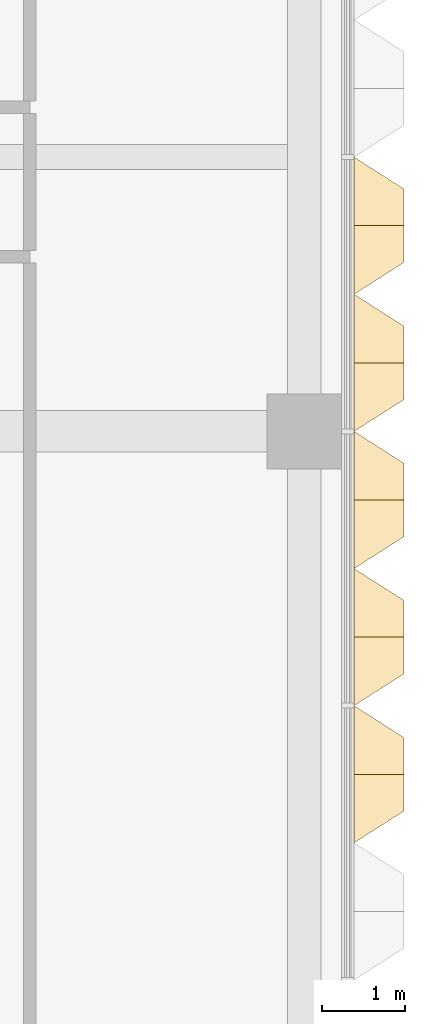
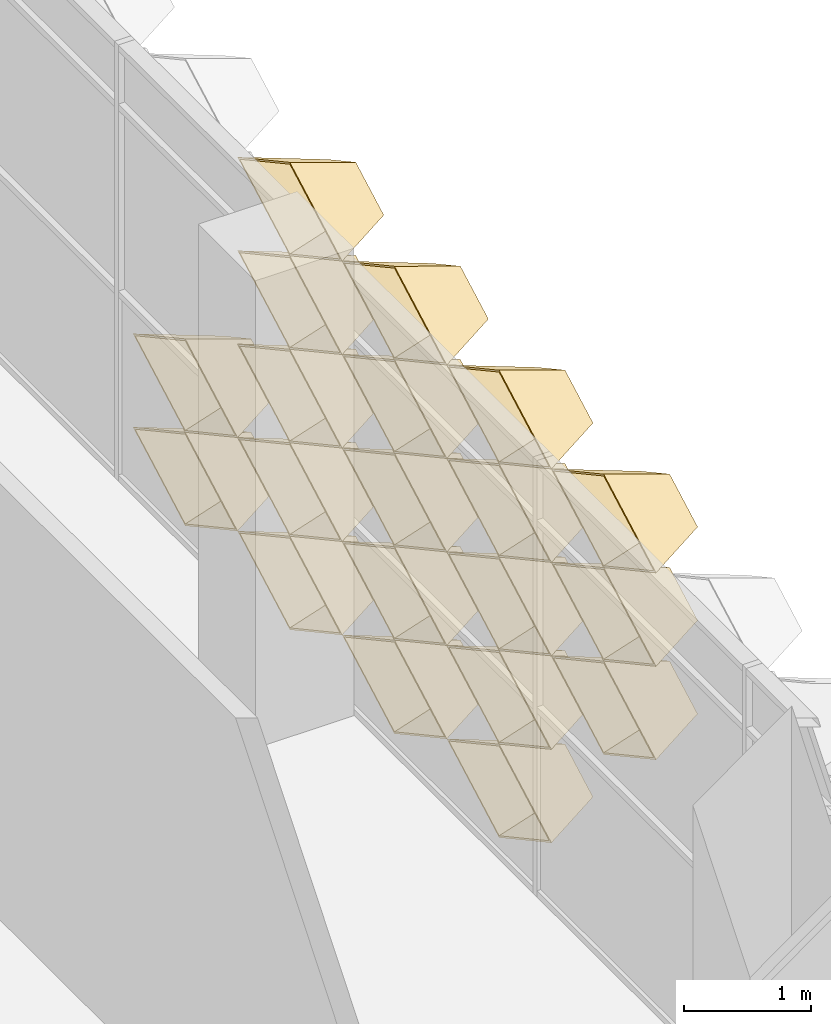
# One storey, part 80 of 109: 20 coverings.
"""IFC4 building model written with IfcOpenShell, lengths in metres."""

from ifc_helpers import new_model, entity, si_unit, direction, frame, origin, place, context, subcontext, project, spatial, material, layer, layer_set, type_object, element, save


model = new_model("IFC4")

# Units and contexts
model_context = context("Model", 3, precision=1e-05, world=origin(), true_north=direction((0.0, 1.0)))
body_context = subcontext(model_context, "Body", "Model", "MODEL_VIEW")
ifc_project = project(units=[si_unit("LENGTHUNIT", "METRE"), si_unit("AREAUNIT", "SQUARE_METRE"), si_unit("VOLUMEUNIT", "CUBIC_METRE"), si_unit("PLANEANGLEUNIT", "RADIAN"), si_unit("MASSUNIT", "GRAM", prefix="KILO")], contexts=[model_context])

# Site, building, storey
site_placement = place(None, origin())
site = spatial("IfcSite", under=ifc_project, at=site_placement, CompositionType="ELEMENT")
building_placement = place(site_placement, origin())
building = spatial("IfcBuilding", under=site, at=building_placement, Name="Lantern Court Research Institute", CompositionType="ELEMENT")
storey_placement = place(building_placement, frame((0.0, 0.0, 14.39990234375)))
storey = spatial("IfcBuildingStorey", under=building, at=storey_placement, Name="L03", CompositionType="ELEMENT", Elevation=14.39990234375)

# Coverings
ifc_material = material(Name="Anodised aluminium", Category="aluminium")
ifc_layer = layer(ifc_material, 0.01611328125)
ifc_layer_set = layer_set([ifc_layer], Name="Anodised aluminium")
covering_type = type_object("IfcCoveringType", Name="Fin cassette 1650 x 900 x 600 aluminium", PredefinedType="CLADDING", material=ifc_layer_set)
covering_1_placement = place(storey_placement, frame((79.800048828125, -2.47509765625, 0.4501953125), z_axis=(1.0, 0.0, 0.0), x_axis=(0.0, 1.0, 0.0)))
cartesian_point_1 = entity("IfcCartesianPoint", [0.824951171875, 0.0])
cartesian_point_2 = entity("IfcCartesianPoint", [0.79150390625, 0.0])
cartesian_point_3 = entity("IfcCartesianPoint", [0.44189453125, 0.0])
cartesian_point_4 = entity("IfcCartesianPoint", [0.43359375, 0.0])
element("IfcCovering", 1, at=covering_1_placement, inside=storey, type_object=covering_type, Name="Fin cassette V5E-L03 1.-1", PredefinedType="CLADDING", context=body_context, shape_type="SweptSolid", body=[
    entity("IfcExtrudedAreaSolidTapered", entity("IfcArbitraryProfileDefWithVoids", "AREA", None, entity("IfcPolyline", [cartesian_point_1, entity("IfcCartesianPoint", [0.0, 0.449951171875]), entity("IfcCartesianPoint", [-0.824951171875, 0.0]), entity("IfcCartesianPoint", [0.0, -0.449951171875]), cartesian_point_1]), [entity("IfcPolyline", [cartesian_point_2, entity("IfcCartesianPoint", [0.0, 0.431884765625]), entity("IfcCartesianPoint", [-0.79150390625, 0.0]), entity("IfcCartesianPoint", [0.0, -0.431884765625]), cartesian_point_2])]), entity("IfcAxis2Placement3D", entity("IfcCartesianPoint", [0.0, 0.0, 0.0])), entity("IfcDirection", [0.0, 0.0, 1.0]), 0.60009765625, entity("IfcArbitraryProfileDefWithVoids", "AREA", None, entity("IfcPolyline", [cartesian_point_3, entity("IfcCartesianPoint", [0.0, 0.240966796875]), entity("IfcCartesianPoint", [-0.44189453125, 0.0]), entity("IfcCartesianPoint", [0.0, -0.240966796875]), cartesian_point_3]), [entity("IfcPolyline", [cartesian_point_4, entity("IfcCartesianPoint", [0.0, 0.236572265625]), entity("IfcCartesianPoint", [-0.43359375, 0.0]), entity("IfcCartesianPoint", [0.0, -0.236572265625]), cartesian_point_4])])),
])
covering_2_placement = place(storey_placement, frame((79.800048828125, -0.824951171875, 0.4501953125), z_axis=(1.0, 0.0, 0.0), x_axis=(0.0, 1.0, 0.0)))
cartesian_point_5 = entity("IfcCartesianPoint", [0.824951171875, 0.0])
cartesian_point_6 = entity("IfcCartesianPoint", [0.79150390625, 0.0])
cartesian_point_7 = entity("IfcCartesianPoint", [0.44189453125, 0.0])
cartesian_point_8 = entity("IfcCartesianPoint", [0.43359375, 0.0])
element("IfcCovering", 2, at=covering_2_placement, inside=storey, type_object=covering_type, Name="Fin cassette V5E-L03 1.0", PredefinedType="CLADDING", context=body_context, shape_type="SweptSolid", body=[
    entity("IfcExtrudedAreaSolidTapered", entity("IfcArbitraryProfileDefWithVoids", "AREA", None, entity("IfcPolyline", [cartesian_point_5, entity("IfcCartesianPoint", [0.0, 0.449951171875]), entity("IfcCartesianPoint", [-0.824951171875, 0.0]), entity("IfcCartesianPoint", [0.0, -0.449951171875]), cartesian_point_5]), [entity("IfcPolyline", [cartesian_point_6, entity("IfcCartesianPoint", [0.0, 0.431884765625]), entity("IfcCartesianPoint", [-0.79150390625, 0.0]), entity("IfcCartesianPoint", [0.0, -0.431884765625]), cartesian_point_6])]), entity("IfcAxis2Placement3D", entity("IfcCartesianPoint", [0.0, 0.0, 0.0])), entity("IfcDirection", [0.0, 0.0, 1.0]), 0.60009765625, entity("IfcArbitraryProfileDefWithVoids", "AREA", None, entity("IfcPolyline", [cartesian_point_7, entity("IfcCartesianPoint", [0.0, 0.240966796875]), entity("IfcCartesianPoint", [-0.44189453125, 0.0]), entity("IfcCartesianPoint", [0.0, -0.240966796875]), cartesian_point_7]), [entity("IfcPolyline", [cartesian_point_8, entity("IfcCartesianPoint", [0.0, 0.236572265625]), entity("IfcCartesianPoint", [-0.43359375, 0.0]), entity("IfcCartesianPoint", [0.0, -0.236572265625]), cartesian_point_8])])),
])
covering_3_placement = place(storey_placement, frame((79.800048828125, 0.824951171875, 0.4501953125), z_axis=(1.0, 0.0, 0.0), x_axis=(0.0, 1.0, 0.0)))
cartesian_point_9 = entity("IfcCartesianPoint", [0.824951171875, 0.0])
cartesian_point_10 = entity("IfcCartesianPoint", [0.79150390625, 0.0])
cartesian_point_11 = entity("IfcCartesianPoint", [0.44189453125, 0.0])
cartesian_point_12 = entity("IfcCartesianPoint", [0.43359375, 0.0])
element("IfcCovering", 3, at=covering_3_placement, inside=storey, type_object=covering_type, Name="Fin cassette V5E-L03 1.1", PredefinedType="CLADDING", context=body_context, shape_type="SweptSolid", body=[
    entity("IfcExtrudedAreaSolidTapered", entity("IfcArbitraryProfileDefWithVoids", "AREA", None, entity("IfcPolyline", [cartesian_point_9, entity("IfcCartesianPoint", [0.0, 0.449951171875]), entity("IfcCartesianPoint", [-0.824951171875, 0.0]), entity("IfcCartesianPoint", [0.0, -0.449951171875]), cartesian_point_9]), [entity("IfcPolyline", [cartesian_point_10, entity("IfcCartesianPoint", [0.0, 0.431884765625]), entity("IfcCartesianPoint", [-0.79150390625, 0.0]), entity("IfcCartesianPoint", [0.0, -0.431884765625]), cartesian_point_10])]), entity("IfcAxis2Placement3D", entity("IfcCartesianPoint", [0.0, 0.0, 0.0])), entity("IfcDirection", [0.0, 0.0, 1.0]), 0.60009765625, entity("IfcArbitraryProfileDefWithVoids", "AREA", None, entity("IfcPolyline", [cartesian_point_11, entity("IfcCartesianPoint", [0.0, 0.240966796875]), entity("IfcCartesianPoint", [-0.44189453125, 0.0]), entity("IfcCartesianPoint", [0.0, -0.240966796875]), cartesian_point_11]), [entity("IfcPolyline", [cartesian_point_12, entity("IfcCartesianPoint", [0.0, 0.236572265625]), entity("IfcCartesianPoint", [-0.43359375, 0.0]), entity("IfcCartesianPoint", [0.0, -0.236572265625]), cartesian_point_12])])),
])
covering_4_placement = place(storey_placement, frame((79.800048828125, 2.47509765625, 0.4501953125), z_axis=(1.0, 0.0, 0.0), x_axis=(0.0, 1.0, 0.0)))
cartesian_point_13 = entity("IfcCartesianPoint", [0.824951171875, 0.0])
cartesian_point_14 = entity("IfcCartesianPoint", [0.79150390625, 0.0])
cartesian_point_15 = entity("IfcCartesianPoint", [0.44189453125, 0.0])
cartesian_point_16 = entity("IfcCartesianPoint", [0.43359375, 0.0])
element("IfcCovering", 4, at=covering_4_placement, inside=storey, type_object=covering_type, Name="Fin cassette V5E-L03 1.2", PredefinedType="CLADDING", context=body_context, shape_type="SweptSolid", body=[
    entity("IfcExtrudedAreaSolidTapered", entity("IfcArbitraryProfileDefWithVoids", "AREA", None, entity("IfcPolyline", [cartesian_point_13, entity("IfcCartesianPoint", [0.0, 0.449951171875]), entity("IfcCartesianPoint", [-0.824951171875, 0.0]), entity("IfcCartesianPoint", [0.0, -0.449951171875]), cartesian_point_13]), [entity("IfcPolyline", [cartesian_point_14, entity("IfcCartesianPoint", [0.0, 0.431884765625]), entity("IfcCartesianPoint", [-0.79150390625, 0.0]), entity("IfcCartesianPoint", [0.0, -0.431884765625]), cartesian_point_14])]), entity("IfcAxis2Placement3D", entity("IfcCartesianPoint", [0.0, 0.0, 0.0])), entity("IfcDirection", [0.0, 0.0, 1.0]), 0.60009765625, entity("IfcArbitraryProfileDefWithVoids", "AREA", None, entity("IfcPolyline", [cartesian_point_15, entity("IfcCartesianPoint", [0.0, 0.240966796875]), entity("IfcCartesianPoint", [-0.44189453125, 0.0]), entity("IfcCartesianPoint", [0.0, -0.240966796875]), cartesian_point_15]), [entity("IfcPolyline", [cartesian_point_16, entity("IfcCartesianPoint", [0.0, 0.236572265625]), entity("IfcCartesianPoint", [-0.43359375, 0.0]), entity("IfcCartesianPoint", [0.0, -0.236572265625]), cartesian_point_16])])),
])
covering_5_placement = place(storey_placement, frame((79.800048828125, -2.47509765625, 1.35009765625), z_axis=(1.0, 0.0, 0.0), x_axis=(0.0, 1.0, 0.0)))
cartesian_point_17 = entity("IfcCartesianPoint", [0.824951171875, 0.0])
cartesian_point_18 = entity("IfcCartesianPoint", [0.79150390625, 0.0])
cartesian_point_19 = entity("IfcCartesianPoint", [0.44189453125, 0.0])
cartesian_point_20 = entity("IfcCartesianPoint", [0.43359375, 0.0])
element("IfcCovering", 5, at=covering_5_placement, inside=storey, type_object=covering_type, Name="Fin cassette V5E-L03 2.-1", PredefinedType="CLADDING", context=body_context, shape_type="SweptSolid", body=[
    entity("IfcExtrudedAreaSolidTapered", entity("IfcArbitraryProfileDefWithVoids", "AREA", None, entity("IfcPolyline", [cartesian_point_17, entity("IfcCartesianPoint", [0.0, 0.449951171875]), entity("IfcCartesianPoint", [-0.824951171875, 0.0]), entity("IfcCartesianPoint", [0.0, -0.449951171875]), cartesian_point_17]), [entity("IfcPolyline", [cartesian_point_18, entity("IfcCartesianPoint", [0.0, 0.431884765625]), entity("IfcCartesianPoint", [-0.79150390625, 0.0]), entity("IfcCartesianPoint", [0.0, -0.431884765625]), cartesian_point_18])]), entity("IfcAxis2Placement3D", entity("IfcCartesianPoint", [0.0, 0.0, 0.0])), entity("IfcDirection", [0.0, 0.0, 1.0]), 0.60009765625, entity("IfcArbitraryProfileDefWithVoids", "AREA", None, entity("IfcPolyline", [cartesian_point_19, entity("IfcCartesianPoint", [0.0, 0.240966796875]), entity("IfcCartesianPoint", [-0.44189453125, 0.0]), entity("IfcCartesianPoint", [0.0, -0.240966796875]), cartesian_point_19]), [entity("IfcPolyline", [cartesian_point_20, entity("IfcCartesianPoint", [0.0, 0.236572265625]), entity("IfcCartesianPoint", [-0.43359375, 0.0]), entity("IfcCartesianPoint", [0.0, -0.236572265625]), cartesian_point_20])])),
])
covering_6_placement = place(storey_placement, frame((79.800048828125, -0.824951171875, 1.35009765625), z_axis=(1.0, 0.0, 0.0), x_axis=(0.0, 1.0, 0.0)))
cartesian_point_21 = entity("IfcCartesianPoint", [0.824951171875, 0.0])
cartesian_point_22 = entity("IfcCartesianPoint", [0.79150390625, 0.0])
cartesian_point_23 = entity("IfcCartesianPoint", [0.44189453125, 0.0])
cartesian_point_24 = entity("IfcCartesianPoint", [0.43359375, 0.0])
element("IfcCovering", 6, at=covering_6_placement, inside=storey, type_object=covering_type, Name="Fin cassette V5E-L03 2.0", PredefinedType="CLADDING", context=body_context, shape_type="SweptSolid", body=[
    entity("IfcExtrudedAreaSolidTapered", entity("IfcArbitraryProfileDefWithVoids", "AREA", None, entity("IfcPolyline", [cartesian_point_21, entity("IfcCartesianPoint", [0.0, 0.449951171875]), entity("IfcCartesianPoint", [-0.824951171875, 0.0]), entity("IfcCartesianPoint", [0.0, -0.449951171875]), cartesian_point_21]), [entity("IfcPolyline", [cartesian_point_22, entity("IfcCartesianPoint", [0.0, 0.431884765625]), entity("IfcCartesianPoint", [-0.79150390625, 0.0]), entity("IfcCartesianPoint", [0.0, -0.431884765625]), cartesian_point_22])]), entity("IfcAxis2Placement3D", entity("IfcCartesianPoint", [0.0, 0.0, 0.0])), entity("IfcDirection", [0.0, 0.0, 1.0]), 0.60009765625, entity("IfcArbitraryProfileDefWithVoids", "AREA", None, entity("IfcPolyline", [cartesian_point_23, entity("IfcCartesianPoint", [0.0, 0.240966796875]), entity("IfcCartesianPoint", [-0.44189453125, 0.0]), entity("IfcCartesianPoint", [0.0, -0.240966796875]), cartesian_point_23]), [entity("IfcPolyline", [cartesian_point_24, entity("IfcCartesianPoint", [0.0, 0.236572265625]), entity("IfcCartesianPoint", [-0.43359375, 0.0]), entity("IfcCartesianPoint", [0.0, -0.236572265625]), cartesian_point_24])])),
])
covering_7_placement = place(storey_placement, frame((79.800048828125, 0.824951171875, 1.35009765625), z_axis=(1.0, 0.0, 0.0), x_axis=(0.0, 1.0, 0.0)))
cartesian_point_25 = entity("IfcCartesianPoint", [0.824951171875, 0.0])
cartesian_point_26 = entity("IfcCartesianPoint", [0.79150390625, 0.0])
cartesian_point_27 = entity("IfcCartesianPoint", [0.44189453125, 0.0])
cartesian_point_28 = entity("IfcCartesianPoint", [0.43359375, 0.0])
element("IfcCovering", 7, at=covering_7_placement, inside=storey, type_object=covering_type, Name="Fin cassette V5E-L03 2.1", PredefinedType="CLADDING", context=body_context, shape_type="SweptSolid", body=[
    entity("IfcExtrudedAreaSolidTapered", entity("IfcArbitraryProfileDefWithVoids", "AREA", None, entity("IfcPolyline", [cartesian_point_25, entity("IfcCartesianPoint", [0.0, 0.449951171875]), entity("IfcCartesianPoint", [-0.824951171875, 0.0]), entity("IfcCartesianPoint", [0.0, -0.449951171875]), cartesian_point_25]), [entity("IfcPolyline", [cartesian_point_26, entity("IfcCartesianPoint", [0.0, 0.431884765625]), entity("IfcCartesianPoint", [-0.79150390625, 0.0]), entity("IfcCartesianPoint", [0.0, -0.431884765625]), cartesian_point_26])]), entity("IfcAxis2Placement3D", entity("IfcCartesianPoint", [0.0, 0.0, 0.0])), entity("IfcDirection", [0.0, 0.0, 1.0]), 0.60009765625, entity("IfcArbitraryProfileDefWithVoids", "AREA", None, entity("IfcPolyline", [cartesian_point_27, entity("IfcCartesianPoint", [0.0, 0.240966796875]), entity("IfcCartesianPoint", [-0.44189453125, 0.0]), entity("IfcCartesianPoint", [0.0, -0.240966796875]), cartesian_point_27]), [entity("IfcPolyline", [cartesian_point_28, entity("IfcCartesianPoint", [0.0, 0.236572265625]), entity("IfcCartesianPoint", [-0.43359375, 0.0]), entity("IfcCartesianPoint", [0.0, -0.236572265625]), cartesian_point_28])])),
])
covering_8_placement = place(storey_placement, frame((79.800048828125, 2.47509765625, 1.35009765625), z_axis=(1.0, 0.0, 0.0), x_axis=(0.0, 1.0, 0.0)))
cartesian_point_29 = entity("IfcCartesianPoint", [0.824951171875, 0.0])
cartesian_point_30 = entity("IfcCartesianPoint", [0.79150390625, 0.0])
cartesian_point_31 = entity("IfcCartesianPoint", [0.44189453125, 0.0])
cartesian_point_32 = entity("IfcCartesianPoint", [0.43359375, 0.0])
element("IfcCovering", 8, at=covering_8_placement, inside=storey, type_object=covering_type, Name="Fin cassette V5E-L03 2.2", PredefinedType="CLADDING", context=body_context, shape_type="SweptSolid", body=[
    entity("IfcExtrudedAreaSolidTapered", entity("IfcArbitraryProfileDefWithVoids", "AREA", None, entity("IfcPolyline", [cartesian_point_29, entity("IfcCartesianPoint", [0.0, 0.449951171875]), entity("IfcCartesianPoint", [-0.824951171875, 0.0]), entity("IfcCartesianPoint", [0.0, -0.449951171875]), cartesian_point_29]), [entity("IfcPolyline", [cartesian_point_30, entity("IfcCartesianPoint", [0.0, 0.431884765625]), entity("IfcCartesianPoint", [-0.79150390625, 0.0]), entity("IfcCartesianPoint", [0.0, -0.431884765625]), cartesian_point_30])]), entity("IfcAxis2Placement3D", entity("IfcCartesianPoint", [0.0, 0.0, 0.0])), entity("IfcDirection", [0.0, 0.0, 1.0]), 0.60009765625, entity("IfcArbitraryProfileDefWithVoids", "AREA", None, entity("IfcPolyline", [cartesian_point_31, entity("IfcCartesianPoint", [0.0, 0.240966796875]), entity("IfcCartesianPoint", [-0.44189453125, 0.0]), entity("IfcCartesianPoint", [0.0, -0.240966796875]), cartesian_point_31]), [entity("IfcPolyline", [cartesian_point_32, entity("IfcCartesianPoint", [0.0, 0.236572265625]), entity("IfcCartesianPoint", [-0.43359375, 0.0]), entity("IfcCartesianPoint", [0.0, -0.236572265625]), cartesian_point_32])])),
])
covering_9_placement = place(storey_placement, frame((79.800048828125, -4.125, 2.25), z_axis=(1.0, 0.0, 0.0), x_axis=(0.0, 1.0, 0.0)))
cartesian_point_33 = entity("IfcCartesianPoint", [0.824951171875, 0.0])
cartesian_point_34 = entity("IfcCartesianPoint", [0.79150390625, 0.0])
cartesian_point_35 = entity("IfcCartesianPoint", [0.44189453125, 0.0])
cartesian_point_36 = entity("IfcCartesianPoint", [0.43359375, 0.0])
element("IfcCovering", 9, at=covering_9_placement, inside=storey, type_object=covering_type, Name="Fin cassette V5E-L03 3.-2", PredefinedType="CLADDING", context=body_context, shape_type="SweptSolid", body=[
    entity("IfcExtrudedAreaSolidTapered", entity("IfcArbitraryProfileDefWithVoids", "AREA", None, entity("IfcPolyline", [cartesian_point_33, entity("IfcCartesianPoint", [0.0, 0.449951171875]), entity("IfcCartesianPoint", [-0.824951171875, 0.0]), entity("IfcCartesianPoint", [0.0, -0.449951171875]), cartesian_point_33]), [entity("IfcPolyline", [cartesian_point_34, entity("IfcCartesianPoint", [0.0, 0.431884765625]), entity("IfcCartesianPoint", [-0.79150390625, 0.0]), entity("IfcCartesianPoint", [0.0, -0.431884765625]), cartesian_point_34])]), entity("IfcAxis2Placement3D", entity("IfcCartesianPoint", [0.0, 0.0, 0.0])), entity("IfcDirection", [0.0, 0.0, 1.0]), 0.60009765625, entity("IfcArbitraryProfileDefWithVoids", "AREA", None, entity("IfcPolyline", [cartesian_point_35, entity("IfcCartesianPoint", [0.0, 0.240966796875]), entity("IfcCartesianPoint", [-0.44189453125, 0.0]), entity("IfcCartesianPoint", [0.0, -0.240966796875]), cartesian_point_35]), [entity("IfcPolyline", [cartesian_point_36, entity("IfcCartesianPoint", [0.0, 0.236572265625]), entity("IfcCartesianPoint", [-0.43359375, 0.0]), entity("IfcCartesianPoint", [0.0, -0.236572265625]), cartesian_point_36])])),
])
covering_10_placement = place(storey_placement, frame((79.800048828125, -2.47509765625, 2.25), z_axis=(1.0, 0.0, 0.0), x_axis=(0.0, 1.0, 0.0)))
cartesian_point_37 = entity("IfcCartesianPoint", [0.824951171875, 0.0])
cartesian_point_38 = entity("IfcCartesianPoint", [0.79150390625, 0.0])
cartesian_point_39 = entity("IfcCartesianPoint", [0.44189453125, 0.0])
cartesian_point_40 = entity("IfcCartesianPoint", [0.43359375, 0.0])
element("IfcCovering", 10, at=covering_10_placement, inside=storey, type_object=covering_type, Name="Fin cassette V5E-L03 3.-1", PredefinedType="CLADDING", context=body_context, shape_type="SweptSolid", body=[
    entity("IfcExtrudedAreaSolidTapered", entity("IfcArbitraryProfileDefWithVoids", "AREA", None, entity("IfcPolyline", [cartesian_point_37, entity("IfcCartesianPoint", [0.0, 0.449951171875]), entity("IfcCartesianPoint", [-0.824951171875, 0.0]), entity("IfcCartesianPoint", [0.0, -0.449951171875]), cartesian_point_37]), [entity("IfcPolyline", [cartesian_point_38, entity("IfcCartesianPoint", [0.0, 0.431884765625]), entity("IfcCartesianPoint", [-0.79150390625, 0.0]), entity("IfcCartesianPoint", [0.0, -0.431884765625]), cartesian_point_38])]), entity("IfcAxis2Placement3D", entity("IfcCartesianPoint", [0.0, 0.0, 0.0])), entity("IfcDirection", [0.0, 0.0, 1.0]), 0.60009765625, entity("IfcArbitraryProfileDefWithVoids", "AREA", None, entity("IfcPolyline", [cartesian_point_39, entity("IfcCartesianPoint", [0.0, 0.240966796875]), entity("IfcCartesianPoint", [-0.44189453125, 0.0]), entity("IfcCartesianPoint", [0.0, -0.240966796875]), cartesian_point_39]), [entity("IfcPolyline", [cartesian_point_40, entity("IfcCartesianPoint", [0.0, 0.236572265625]), entity("IfcCartesianPoint", [-0.43359375, 0.0]), entity("IfcCartesianPoint", [0.0, -0.236572265625]), cartesian_point_40])])),
])
covering_11_placement = place(storey_placement, frame((79.800048828125, -0.824951171875, 2.25), z_axis=(1.0, 0.0, 0.0), x_axis=(0.0, 1.0, 0.0)))
cartesian_point_41 = entity("IfcCartesianPoint", [0.824951171875, 0.0])
cartesian_point_42 = entity("IfcCartesianPoint", [0.79150390625, 0.0])
cartesian_point_43 = entity("IfcCartesianPoint", [0.44189453125, 0.0])
cartesian_point_44 = entity("IfcCartesianPoint", [0.43359375, 0.0])
element("IfcCovering", 11, at=covering_11_placement, inside=storey, type_object=covering_type, Name="Fin cassette V5E-L03 3.0", PredefinedType="CLADDING", context=body_context, shape_type="SweptSolid", body=[
    entity("IfcExtrudedAreaSolidTapered", entity("IfcArbitraryProfileDefWithVoids", "AREA", None, entity("IfcPolyline", [cartesian_point_41, entity("IfcCartesianPoint", [0.0, 0.449951171875]), entity("IfcCartesianPoint", [-0.824951171875, 0.0]), entity("IfcCartesianPoint", [0.0, -0.449951171875]), cartesian_point_41]), [entity("IfcPolyline", [cartesian_point_42, entity("IfcCartesianPoint", [0.0, 0.431884765625]), entity("IfcCartesianPoint", [-0.79150390625, 0.0]), entity("IfcCartesianPoint", [0.0, -0.431884765625]), cartesian_point_42])]), entity("IfcAxis2Placement3D", entity("IfcCartesianPoint", [0.0, 0.0, 0.0])), entity("IfcDirection", [0.0, 0.0, 1.0]), 0.60009765625, entity("IfcArbitraryProfileDefWithVoids", "AREA", None, entity("IfcPolyline", [cartesian_point_43, entity("IfcCartesianPoint", [0.0, 0.240966796875]), entity("IfcCartesianPoint", [-0.44189453125, 0.0]), entity("IfcCartesianPoint", [0.0, -0.240966796875]), cartesian_point_43]), [entity("IfcPolyline", [cartesian_point_44, entity("IfcCartesianPoint", [0.0, 0.236572265625]), entity("IfcCartesianPoint", [-0.43359375, 0.0]), entity("IfcCartesianPoint", [0.0, -0.236572265625]), cartesian_point_44])])),
])
covering_12_placement = place(storey_placement, frame((79.800048828125, 0.824951171875, 2.25), z_axis=(1.0, 0.0, 0.0), x_axis=(0.0, 1.0, 0.0)))
cartesian_point_45 = entity("IfcCartesianPoint", [0.824951171875, 0.0])
cartesian_point_46 = entity("IfcCartesianPoint", [0.79150390625, 0.0])
cartesian_point_47 = entity("IfcCartesianPoint", [0.44189453125, 0.0])
cartesian_point_48 = entity("IfcCartesianPoint", [0.43359375, 0.0])
element("IfcCovering", 12, at=covering_12_placement, inside=storey, type_object=covering_type, Name="Fin cassette V5E-L03 3.1", PredefinedType="CLADDING", context=body_context, shape_type="SweptSolid", body=[
    entity("IfcExtrudedAreaSolidTapered", entity("IfcArbitraryProfileDefWithVoids", "AREA", None, entity("IfcPolyline", [cartesian_point_45, entity("IfcCartesianPoint", [0.0, 0.449951171875]), entity("IfcCartesianPoint", [-0.824951171875, 0.0]), entity("IfcCartesianPoint", [0.0, -0.449951171875]), cartesian_point_45]), [entity("IfcPolyline", [cartesian_point_46, entity("IfcCartesianPoint", [0.0, 0.431884765625]), entity("IfcCartesianPoint", [-0.79150390625, 0.0]), entity("IfcCartesianPoint", [0.0, -0.431884765625]), cartesian_point_46])]), entity("IfcAxis2Placement3D", entity("IfcCartesianPoint", [0.0, 0.0, 0.0])), entity("IfcDirection", [0.0, 0.0, 1.0]), 0.60009765625, entity("IfcArbitraryProfileDefWithVoids", "AREA", None, entity("IfcPolyline", [cartesian_point_47, entity("IfcCartesianPoint", [0.0, 0.240966796875]), entity("IfcCartesianPoint", [-0.44189453125, 0.0]), entity("IfcCartesianPoint", [0.0, -0.240966796875]), cartesian_point_47]), [entity("IfcPolyline", [cartesian_point_48, entity("IfcCartesianPoint", [0.0, 0.236572265625]), entity("IfcCartesianPoint", [-0.43359375, 0.0]), entity("IfcCartesianPoint", [0.0, -0.236572265625]), cartesian_point_48])])),
])
covering_13_placement = place(storey_placement, frame((79.800048828125, -4.125, 3.150146484375), z_axis=(1.0, 0.0, 0.0), x_axis=(0.0, 1.0, 0.0)))
cartesian_point_49 = entity("IfcCartesianPoint", [0.824951171875, 0.0])
cartesian_point_50 = entity("IfcCartesianPoint", [0.79150390625, 0.0])
cartesian_point_51 = entity("IfcCartesianPoint", [0.44189453125, 0.0])
cartesian_point_52 = entity("IfcCartesianPoint", [0.43359375, 0.0])
element("IfcCovering", 13, at=covering_13_placement, inside=storey, type_object=covering_type, Name="Fin cassette V5E-L03 4.-2", PredefinedType="CLADDING", context=body_context, shape_type="SweptSolid", body=[
    entity("IfcExtrudedAreaSolidTapered", entity("IfcArbitraryProfileDefWithVoids", "AREA", None, entity("IfcPolyline", [cartesian_point_49, entity("IfcCartesianPoint", [0.0, 0.449951171875]), entity("IfcCartesianPoint", [-0.824951171875, 0.0]), entity("IfcCartesianPoint", [0.0, -0.449951171875]), cartesian_point_49]), [entity("IfcPolyline", [cartesian_point_50, entity("IfcCartesianPoint", [0.0, 0.431884765625]), entity("IfcCartesianPoint", [-0.79150390625, 0.0]), entity("IfcCartesianPoint", [0.0, -0.431884765625]), cartesian_point_50])]), entity("IfcAxis2Placement3D", entity("IfcCartesianPoint", [0.0, 0.0, 0.0])), entity("IfcDirection", [0.0, 0.0, 1.0]), 0.60009765625, entity("IfcArbitraryProfileDefWithVoids", "AREA", None, entity("IfcPolyline", [cartesian_point_51, entity("IfcCartesianPoint", [0.0, 0.240966796875]), entity("IfcCartesianPoint", [-0.44189453125, 0.0]), entity("IfcCartesianPoint", [0.0, -0.240966796875]), cartesian_point_51]), [entity("IfcPolyline", [cartesian_point_52, entity("IfcCartesianPoint", [0.0, 0.236572265625]), entity("IfcCartesianPoint", [-0.43359375, 0.0]), entity("IfcCartesianPoint", [0.0, -0.236572265625]), cartesian_point_52])])),
])
covering_14_placement = place(storey_placement, frame((79.800048828125, -2.47509765625, 3.150146484375), z_axis=(1.0, 0.0, 0.0), x_axis=(0.0, 1.0, 0.0)))
cartesian_point_53 = entity("IfcCartesianPoint", [0.824951171875, 0.0])
cartesian_point_54 = entity("IfcCartesianPoint", [0.79150390625, 0.0])
cartesian_point_55 = entity("IfcCartesianPoint", [0.44189453125, 0.0])
cartesian_point_56 = entity("IfcCartesianPoint", [0.43359375, 0.0])
element("IfcCovering", 14, at=covering_14_placement, inside=storey, type_object=covering_type, Name="Fin cassette V5E-L03 4.-1", PredefinedType="CLADDING", context=body_context, shape_type="SweptSolid", body=[
    entity("IfcExtrudedAreaSolidTapered", entity("IfcArbitraryProfileDefWithVoids", "AREA", None, entity("IfcPolyline", [cartesian_point_53, entity("IfcCartesianPoint", [0.0, 0.449951171875]), entity("IfcCartesianPoint", [-0.824951171875, 0.0]), entity("IfcCartesianPoint", [0.0, -0.449951171875]), cartesian_point_53]), [entity("IfcPolyline", [cartesian_point_54, entity("IfcCartesianPoint", [0.0, 0.431884765625]), entity("IfcCartesianPoint", [-0.79150390625, 0.0]), entity("IfcCartesianPoint", [0.0, -0.431884765625]), cartesian_point_54])]), entity("IfcAxis2Placement3D", entity("IfcCartesianPoint", [0.0, 0.0, 0.0])), entity("IfcDirection", [0.0, 0.0, 1.0]), 0.60009765625, entity("IfcArbitraryProfileDefWithVoids", "AREA", None, entity("IfcPolyline", [cartesian_point_55, entity("IfcCartesianPoint", [0.0, 0.240966796875]), entity("IfcCartesianPoint", [-0.44189453125, 0.0]), entity("IfcCartesianPoint", [0.0, -0.240966796875]), cartesian_point_55]), [entity("IfcPolyline", [cartesian_point_56, entity("IfcCartesianPoint", [0.0, 0.236572265625]), entity("IfcCartesianPoint", [-0.43359375, 0.0]), entity("IfcCartesianPoint", [0.0, -0.236572265625]), cartesian_point_56])])),
])
covering_15_placement = place(storey_placement, frame((79.800048828125, -0.824951171875, 3.150146484375), z_axis=(1.0, 0.0, 0.0), x_axis=(0.0, 1.0, 0.0)))
cartesian_point_57 = entity("IfcCartesianPoint", [0.824951171875, 0.0])
cartesian_point_58 = entity("IfcCartesianPoint", [0.79150390625, 0.0])
cartesian_point_59 = entity("IfcCartesianPoint", [0.44189453125, 0.0])
cartesian_point_60 = entity("IfcCartesianPoint", [0.43359375, 0.0])
element("IfcCovering", 15, at=covering_15_placement, inside=storey, type_object=covering_type, Name="Fin cassette V5E-L03 4.0", PredefinedType="CLADDING", context=body_context, shape_type="SweptSolid", body=[
    entity("IfcExtrudedAreaSolidTapered", entity("IfcArbitraryProfileDefWithVoids", "AREA", None, entity("IfcPolyline", [cartesian_point_57, entity("IfcCartesianPoint", [0.0, 0.449951171875]), entity("IfcCartesianPoint", [-0.824951171875, 0.0]), entity("IfcCartesianPoint", [0.0, -0.449951171875]), cartesian_point_57]), [entity("IfcPolyline", [cartesian_point_58, entity("IfcCartesianPoint", [0.0, 0.431884765625]), entity("IfcCartesianPoint", [-0.79150390625, 0.0]), entity("IfcCartesianPoint", [0.0, -0.431884765625]), cartesian_point_58])]), entity("IfcAxis2Placement3D", entity("IfcCartesianPoint", [0.0, 0.0, 0.0])), entity("IfcDirection", [0.0, 0.0, 1.0]), 0.60009765625, entity("IfcArbitraryProfileDefWithVoids", "AREA", None, entity("IfcPolyline", [cartesian_point_59, entity("IfcCartesianPoint", [0.0, 0.240966796875]), entity("IfcCartesianPoint", [-0.44189453125, 0.0]), entity("IfcCartesianPoint", [0.0, -0.240966796875]), cartesian_point_59]), [entity("IfcPolyline", [cartesian_point_60, entity("IfcCartesianPoint", [0.0, 0.236572265625]), entity("IfcCartesianPoint", [-0.43359375, 0.0]), entity("IfcCartesianPoint", [0.0, -0.236572265625]), cartesian_point_60])])),
])
covering_16_placement = place(storey_placement, frame((79.800048828125, 0.824951171875, 3.150146484375), z_axis=(1.0, 0.0, 0.0), x_axis=(0.0, 1.0, 0.0)))
cartesian_point_61 = entity("IfcCartesianPoint", [0.824951171875, 0.0])
cartesian_point_62 = entity("IfcCartesianPoint", [0.79150390625, 0.0])
cartesian_point_63 = entity("IfcCartesianPoint", [0.44189453125, 0.0])
cartesian_point_64 = entity("IfcCartesianPoint", [0.43359375, 0.0])
element("IfcCovering", 16, at=covering_16_placement, inside=storey, type_object=covering_type, Name="Fin cassette V5E-L03 4.1", PredefinedType="CLADDING", context=body_context, shape_type="SweptSolid", body=[
    entity("IfcExtrudedAreaSolidTapered", entity("IfcArbitraryProfileDefWithVoids", "AREA", None, entity("IfcPolyline", [cartesian_point_61, entity("IfcCartesianPoint", [0.0, 0.449951171875]), entity("IfcCartesianPoint", [-0.824951171875, 0.0]), entity("IfcCartesianPoint", [0.0, -0.449951171875]), cartesian_point_61]), [entity("IfcPolyline", [cartesian_point_62, entity("IfcCartesianPoint", [0.0, 0.431884765625]), entity("IfcCartesianPoint", [-0.79150390625, 0.0]), entity("IfcCartesianPoint", [0.0, -0.431884765625]), cartesian_point_62])]), entity("IfcAxis2Placement3D", entity("IfcCartesianPoint", [0.0, 0.0, 0.0])), entity("IfcDirection", [0.0, 0.0, 1.0]), 0.60009765625, entity("IfcArbitraryProfileDefWithVoids", "AREA", None, entity("IfcPolyline", [cartesian_point_63, entity("IfcCartesianPoint", [0.0, 0.240966796875]), entity("IfcCartesianPoint", [-0.44189453125, 0.0]), entity("IfcCartesianPoint", [0.0, -0.240966796875]), cartesian_point_63]), [entity("IfcPolyline", [cartesian_point_64, entity("IfcCartesianPoint", [0.0, 0.236572265625]), entity("IfcCartesianPoint", [-0.43359375, 0.0]), entity("IfcCartesianPoint", [0.0, -0.236572265625]), cartesian_point_64])])),
])
covering_17_placement = place(storey_placement, frame((79.800048828125, -4.125, 4.050048828125), z_axis=(1.0, 0.0, 0.0), x_axis=(0.0, 1.0, 0.0)))
cartesian_point_65 = entity("IfcCartesianPoint", [0.824951171875, 0.0])
cartesian_point_66 = entity("IfcCartesianPoint", [0.79150390625, 0.0])
cartesian_point_67 = entity("IfcCartesianPoint", [0.44189453125, 0.0])
cartesian_point_68 = entity("IfcCartesianPoint", [0.43359375, 0.0])
element("IfcCovering", 17, at=covering_17_placement, inside=storey, type_object=covering_type, Name="Fin cassette V5E-L03 5.-2", PredefinedType="CLADDING", context=body_context, shape_type="SweptSolid", body=[
    entity("IfcExtrudedAreaSolidTapered", entity("IfcArbitraryProfileDefWithVoids", "AREA", None, entity("IfcPolyline", [cartesian_point_65, entity("IfcCartesianPoint", [0.0, 0.449951171875]), entity("IfcCartesianPoint", [-0.824951171875, 0.0]), entity("IfcCartesianPoint", [0.0, -0.449951171875]), cartesian_point_65]), [entity("IfcPolyline", [cartesian_point_66, entity("IfcCartesianPoint", [0.0, 0.431884765625]), entity("IfcCartesianPoint", [-0.79150390625, 0.0]), entity("IfcCartesianPoint", [0.0, -0.431884765625]), cartesian_point_66])]), entity("IfcAxis2Placement3D", entity("IfcCartesianPoint", [0.0, 0.0, 0.0])), entity("IfcDirection", [0.0, 0.0, 1.0]), 0.60009765625, entity("IfcArbitraryProfileDefWithVoids", "AREA", None, entity("IfcPolyline", [cartesian_point_67, entity("IfcCartesianPoint", [0.0, 0.240966796875]), entity("IfcCartesianPoint", [-0.44189453125, 0.0]), entity("IfcCartesianPoint", [0.0, -0.240966796875]), cartesian_point_67]), [entity("IfcPolyline", [cartesian_point_68, entity("IfcCartesianPoint", [0.0, 0.236572265625]), entity("IfcCartesianPoint", [-0.43359375, 0.0]), entity("IfcCartesianPoint", [0.0, -0.236572265625]), cartesian_point_68])])),
])
covering_18_placement = place(storey_placement, frame((79.800048828125, -2.47509765625, 4.050048828125), z_axis=(1.0, 0.0, 0.0), x_axis=(0.0, 1.0, 0.0)))
cartesian_point_69 = entity("IfcCartesianPoint", [0.824951171875, 0.0])
cartesian_point_70 = entity("IfcCartesianPoint", [0.79150390625, 0.0])
cartesian_point_71 = entity("IfcCartesianPoint", [0.44189453125, 0.0])
cartesian_point_72 = entity("IfcCartesianPoint", [0.43359375, 0.0])
element("IfcCovering", 18, at=covering_18_placement, inside=storey, type_object=covering_type, Name="Fin cassette V5E-L03 5.-1", PredefinedType="CLADDING", context=body_context, shape_type="SweptSolid", body=[
    entity("IfcExtrudedAreaSolidTapered", entity("IfcArbitraryProfileDefWithVoids", "AREA", None, entity("IfcPolyline", [cartesian_point_69, entity("IfcCartesianPoint", [0.0, 0.449951171875]), entity("IfcCartesianPoint", [-0.824951171875, 0.0]), entity("IfcCartesianPoint", [0.0, -0.449951171875]), cartesian_point_69]), [entity("IfcPolyline", [cartesian_point_70, entity("IfcCartesianPoint", [0.0, 0.431884765625]), entity("IfcCartesianPoint", [-0.79150390625, 0.0]), entity("IfcCartesianPoint", [0.0, -0.431884765625]), cartesian_point_70])]), entity("IfcAxis2Placement3D", entity("IfcCartesianPoint", [0.0, 0.0, 0.0])), entity("IfcDirection", [0.0, 0.0, 1.0]), 0.60009765625, entity("IfcArbitraryProfileDefWithVoids", "AREA", None, entity("IfcPolyline", [cartesian_point_71, entity("IfcCartesianPoint", [0.0, 0.240966796875]), entity("IfcCartesianPoint", [-0.44189453125, 0.0]), entity("IfcCartesianPoint", [0.0, -0.240966796875]), cartesian_point_71]), [entity("IfcPolyline", [cartesian_point_72, entity("IfcCartesianPoint", [0.0, 0.236572265625]), entity("IfcCartesianPoint", [-0.43359375, 0.0]), entity("IfcCartesianPoint", [0.0, -0.236572265625]), cartesian_point_72])])),
])
covering_19_placement = place(storey_placement, frame((79.800048828125, -0.824951171875, 4.050048828125), z_axis=(1.0, 0.0, 0.0), x_axis=(0.0, 1.0, 0.0)))
cartesian_point_73 = entity("IfcCartesianPoint", [0.824951171875, 0.0])
cartesian_point_74 = entity("IfcCartesianPoint", [0.79150390625, 0.0])
cartesian_point_75 = entity("IfcCartesianPoint", [0.44189453125, 0.0])
cartesian_point_76 = entity("IfcCartesianPoint", [0.43359375, 0.0])
element("IfcCovering", 19, at=covering_19_placement, inside=storey, type_object=covering_type, Name="Fin cassette V5E-L03 5.0", PredefinedType="CLADDING", context=body_context, shape_type="SweptSolid", body=[
    entity("IfcExtrudedAreaSolidTapered", entity("IfcArbitraryProfileDefWithVoids", "AREA", None, entity("IfcPolyline", [cartesian_point_73, entity("IfcCartesianPoint", [0.0, 0.449951171875]), entity("IfcCartesianPoint", [-0.824951171875, 0.0]), entity("IfcCartesianPoint", [0.0, -0.449951171875]), cartesian_point_73]), [entity("IfcPolyline", [cartesian_point_74, entity("IfcCartesianPoint", [0.0, 0.431884765625]), entity("IfcCartesianPoint", [-0.79150390625, 0.0]), entity("IfcCartesianPoint", [0.0, -0.431884765625]), cartesian_point_74])]), entity("IfcAxis2Placement3D", entity("IfcCartesianPoint", [0.0, 0.0, 0.0])), entity("IfcDirection", [0.0, 0.0, 1.0]), 0.60009765625, entity("IfcArbitraryProfileDefWithVoids", "AREA", None, entity("IfcPolyline", [cartesian_point_75, entity("IfcCartesianPoint", [0.0, 0.240966796875]), entity("IfcCartesianPoint", [-0.44189453125, 0.0]), entity("IfcCartesianPoint", [0.0, -0.240966796875]), cartesian_point_75]), [entity("IfcPolyline", [cartesian_point_76, entity("IfcCartesianPoint", [0.0, 0.236572265625]), entity("IfcCartesianPoint", [-0.43359375, 0.0]), entity("IfcCartesianPoint", [0.0, -0.236572265625]), cartesian_point_76])])),
])
covering_20_placement = place(storey_placement, frame((79.800048828125, 0.824951171875, 4.050048828125), z_axis=(1.0, 0.0, 0.0), x_axis=(0.0, 1.0, 0.0)))
cartesian_point_77 = entity("IfcCartesianPoint", [0.824951171875, 0.0])
cartesian_point_78 = entity("IfcCartesianPoint", [0.79150390625, 0.0])
cartesian_point_79 = entity("IfcCartesianPoint", [0.44189453125, 0.0])
cartesian_point_80 = entity("IfcCartesianPoint", [0.43359375, 0.0])
element("IfcCovering", 20, at=covering_20_placement, inside=storey, type_object=covering_type, Name="Fin cassette V5E-L03 5.1", PredefinedType="CLADDING", context=body_context, shape_type="SweptSolid", body=[
    entity("IfcExtrudedAreaSolidTapered", entity("IfcArbitraryProfileDefWithVoids", "AREA", None, entity("IfcPolyline", [cartesian_point_77, entity("IfcCartesianPoint", [0.0, 0.449951171875]), entity("IfcCartesianPoint", [-0.824951171875, 0.0]), entity("IfcCartesianPoint", [0.0, -0.449951171875]), cartesian_point_77]), [entity("IfcPolyline", [cartesian_point_78, entity("IfcCartesianPoint", [0.0, 0.431884765625]), entity("IfcCartesianPoint", [-0.79150390625, 0.0]), entity("IfcCartesianPoint", [0.0, -0.431884765625]), cartesian_point_78])]), entity("IfcAxis2Placement3D", entity("IfcCartesianPoint", [0.0, 0.0, 0.0])), entity("IfcDirection", [0.0, 0.0, 1.0]), 0.60009765625, entity("IfcArbitraryProfileDefWithVoids", "AREA", None, entity("IfcPolyline", [cartesian_point_79, entity("IfcCartesianPoint", [0.0, 0.240966796875]), entity("IfcCartesianPoint", [-0.44189453125, 0.0]), entity("IfcCartesianPoint", [0.0, -0.240966796875]), cartesian_point_79]), [entity("IfcPolyline", [cartesian_point_80, entity("IfcCartesianPoint", [0.0, 0.236572265625]), entity("IfcCartesianPoint", [-0.43359375, 0.0]), entity("IfcCartesianPoint", [0.0, -0.236572265625]), cartesian_point_80])])),
])

save(model, "model.ifc")
